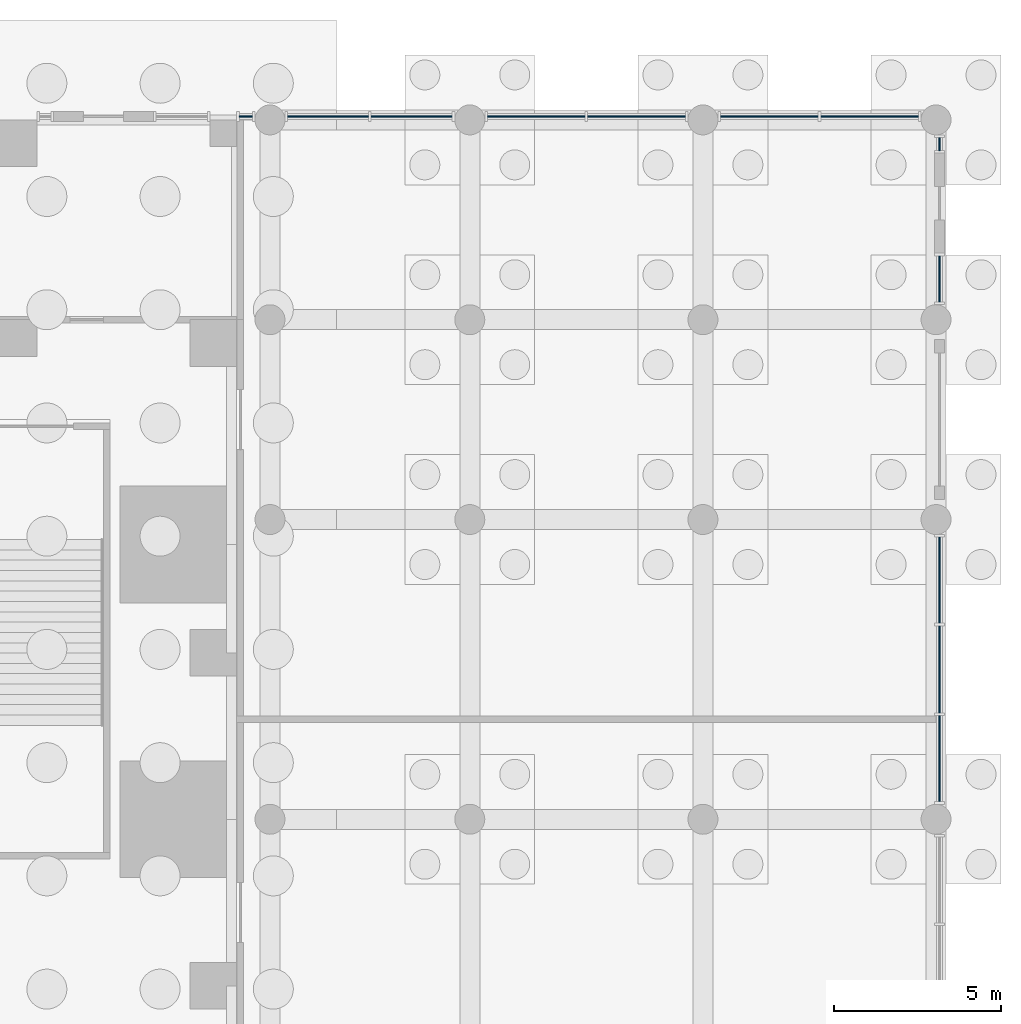
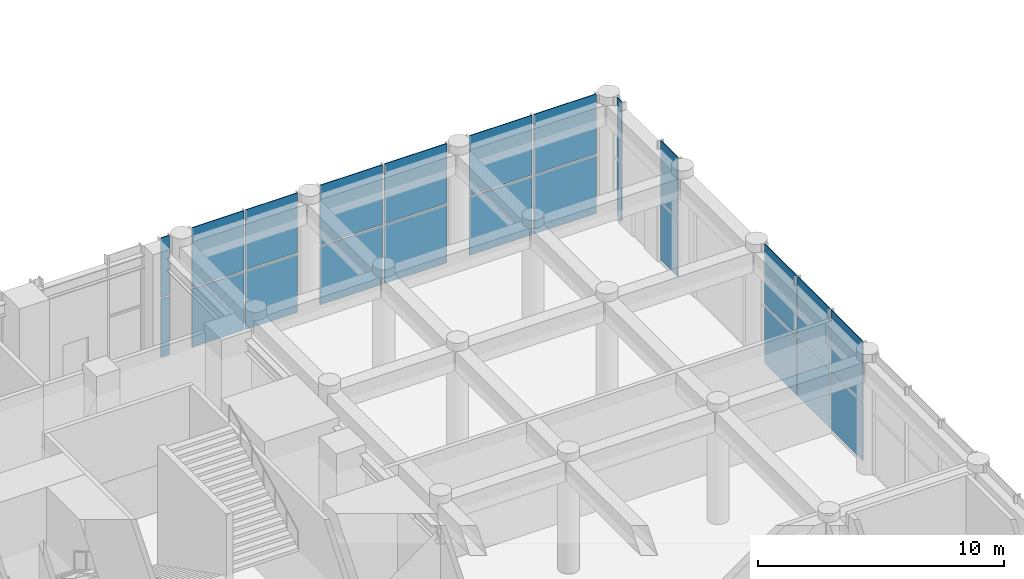
# One storey, part 21 of 46: 24 plates, 7 elements without a shape of their own.
"""IFC4 building model written with IfcOpenShell, lengths in metres."""

import ifcopenshell
import ifcopenshell.guid

model = None  # the IFC model being written
_history = None  # IfcOwnerHistory: only IFC2X3 demands one
_inside = {}  # id of a spatial element -> (the spatial element, [elements in it])
_under = {}  # id of a project, library or spatial element -> (it, [spatial elements below it])
_declared = {}  # id of a project -> (the project, [libraries it declares])
_typed = {}  # id of a type object -> (the type object, [elements of that type])
_made_of = {}  # id of a material, layer set ... -> (it, [elements and type objects made of it])


def new_model(schema):
    """Start an empty IFC model of exactly this schema.

    Asked for "IFC4X3", IfcOpenShell would pick the latest addendum, in which some entities
    have other attributes; the version numbers below select the first issue.
    IFC2X3 requires an IfcOwnerHistory on every rooted entity: one is made here for all.
    """
    global model, _history
    if schema == "IFC4X3":
        model = ifcopenshell.file(schema_version=(4, 3, 0, 0))
    else:
        model = ifcopenshell.file(schema=schema)
    _inside.clear()
    _under.clear()
    _declared.clear()
    _typed.clear()
    _made_of.clear()
    _history = None
    if model.schema == "IFC2X3":
        org = make("IfcOrganization", Name="unknown")
        user = make(
            "IfcPersonAndOrganization",
            ThePerson=make("IfcPerson", FamilyName="unknown"),
            TheOrganization=org,
        )
        app = make(
            "IfcApplication",
            ApplicationDeveloper=org,
            Version="unknown",
            ApplicationFullName="unknown",
            ApplicationIdentifier="unknown",
        )
        _history = make(
            "IfcOwnerHistory",
            OwningUser=user,
            OwningApplication=app,
            ChangeAction="ADDED",
            CreationDate=0,
        )
    return model


def make(cls, **values):
    """One entity of the class cls with the attributes given. An attribute that is None is left unset."""
    return model.create_entity(
        cls, **{name: value for name, value in values.items() if value is not None}
    )


def rooted(cls, **values):
    """An entity with a GlobalId (a new one), such as an element, a storey or a relation."""
    return make(cls, GlobalId=ifcopenshell.guid.new(), OwnerHistory=_history, **values)


def si_unit(unit_type, name, prefix=None):
    """IfcSIUnit, for example si_unit("LENGTHUNIT", "METRE", prefix="MILLI")."""
    return make("IfcSIUnit", UnitType=unit_type, Prefix=prefix, Name=name)


def assignment(units):
    """IfcUnitAssignment: the units of a project."""
    return None if units is None else make("IfcUnitAssignment", Units=units)


def point(xyz):
    """IfcCartesianPoint."""
    return None if xyz is None else make("IfcCartesianPoint", Coordinates=xyz)


def direction(xyz):
    """IfcDirection."""
    return None if xyz is None else make("IfcDirection", DirectionRatios=xyz)


def frame(location, z_axis=None, x_axis=None):
    """IfcAxis2Placement3D, a coordinate frame: its origin and axes. An axis left out is left unset."""
    return make(
        "IfcAxis2Placement3D",
        Location=point(location),
        Axis=direction(z_axis),
        RefDirection=direction(x_axis),
    )


def frame_2d(location, x_axis=None):
    """IfcAxis2Placement2D, a coordinate frame in the plane: its origin and x axis."""
    return make(
        "IfcAxis2Placement2D", Location=point(location), RefDirection=direction(x_axis)
    )


def origin():
    """The frame at (0, 0, 0) with its axes left unset."""
    return frame((0.0, 0.0, 0.0))


def origin_2d():
    """The frame at (0, 0) in the plane with its x axis left unset."""
    return frame_2d((0.0, 0.0))


def place(relative_to, where):
    """IfcLocalPlacement: puts the frame where relative to a parent placement (None: the world)."""
    return make(
        "IfcLocalPlacement", PlacementRelTo=relative_to, RelativePlacement=where
    )


def context(
    kind, dimensions, precision=None, world=None, true_north=None, identifier=None
):
    """IfcGeometricRepresentationContext, for example the 3D "Model" context."""
    return make(
        "IfcGeometricRepresentationContext",
        ContextIdentifier=identifier,
        ContextType=kind,
        CoordinateSpaceDimension=dimensions,
        Precision=precision,
        WorldCoordinateSystem=world,
        TrueNorth=true_north,
    )


def subcontext(parent, identifier, kind, view, scale=None):
    """IfcGeometricRepresentationSubContext, for example "Body" below "Model"."""
    return make(
        "IfcGeometricRepresentationSubContext",
        ContextIdentifier=identifier,
        ContextType=kind,
        ParentContext=parent,
        TargetScale=scale,
        TargetView=view,
    )


def project(units=None, contexts=None):
    """IfcProject with its units and contexts."""
    return rooted(
        "IfcProject",
        Name="project",
        RepresentationContexts=contexts,
        UnitsInContext=assignment(units),
    )


def spatial(cls, under=None, at=None, **own):
    """A site, building, storey or space (cls), placed at a placement, below another one or the project."""
    s = rooted(cls, ObjectPlacement=at, **own)
    if under is not None:
        _under.setdefault(under.id(), (under, []))[1].append(s)
    return s


def profile(cls, at=None, kind="AREA", **sizes):
    """A parametric profile (cls). Its sizes go by their IFC names, for example OverallWidth=200.0."""
    return make(cls, ProfileType=kind, Position=at, **sizes)


def rectangle(**sizes):
    """IfcRectangleProfileDef."""
    return profile("IfcRectangleProfileDef", **sizes)


def extrude(swept, where, along, depth):
    """IfcExtrudedAreaSolid: the profile swept, set in the frame where, extruded along a direction by depth."""
    return make(
        "IfcExtrudedAreaSolid",
        SweptArea=swept,
        Position=where,
        ExtrudedDirection=direction(along),
        Depth=depth,
    )


def shape(context_of_items, identifier, shape_type, items):
    """IfcShapeRepresentation: the items that make up one representation, for example the "Body"."""
    return make(
        "IfcShapeRepresentation",
        ContextOfItems=context_of_items,
        RepresentationIdentifier=identifier,
        RepresentationType=shape_type,
        Items=items,
    )


def material(Name=None, Category=None):
    """IfcMaterial."""
    return make("IfcMaterial", Name=Name, Category=Category)


def layer(
    of_material, thickness, ventilated=None, Name=None, Category=None, Priority=None
):
    """IfcMaterialLayer: one layer of a wall or slab, of a material (None: an air gap)."""
    return make(
        "IfcMaterialLayer",
        Material=of_material,
        LayerThickness=thickness,
        IsVentilated=ventilated,
        Name=Name,
        Category=Category,
        Priority=Priority,
    )


def layer_set(layers, Name=None):
    """IfcMaterialLayerSet."""
    return make("IfcMaterialLayerSet", MaterialLayers=layers, LayerSetName=Name)


def made_of(thing, what):
    """Note that an element or type object is made of a material, layer set ...; save() writes the relation."""
    if what is not None:
        _made_of.setdefault(what.id(), (what, []))[1].append(thing)
    return thing


def type_object(cls, material=None, **own):
    """A type object (cls), such as IfcWallType, which elements share."""
    return made_of(rooted(cls, **own), material)


def element(
    cls,
    number,
    at=None,
    inside=None,
    cuts=None,
    type_object=None,
    material=None,
    context=None,
    identifier="Body",
    shape_type=None,
    held_by="IfcProductDefinitionShape",
    body=None,
    shapes=None,
    **own,
):
    """One element of the class cls, such as IfcWall. Its Tag is "e" and its number.

    at: its placement. inside: the storey or other place that contains it. cuts: it is an
    opening in that element (IfcRelVoidsElement). A single representation is given by context,
    identifier, shape_type and body (its items); several are given by shapes. held_by: the class
    of the entity that holds the representations. save() writes the other relations.
    """
    e = rooted(cls, Tag="e%d" % number, ObjectPlacement=at, **own)
    if body is not None:
        shapes = [shape(context, identifier, shape_type, body)]
    if shapes is not None:
        e.Representation = make(held_by, Representations=shapes)
    if inside is not None:
        _inside.setdefault(inside.id(), (inside, []))[1].append(e)
    if cuts is not None:
        rooted(
            "IfcRelVoidsElement", RelatingBuildingElement=cuts, RelatedOpeningElement=e
        )
    if type_object is not None:
        _typed.setdefault(type_object.id(), (type_object, []))[1].append(e)
    return made_of(e, material)


def aggregate(whole, parts):
    """IfcRelAggregates: a whole, such as a stair, and the parts it consists of."""
    return rooted("IfcRelAggregates", RelatingObject=whole, RelatedObjects=parts)


def save(model, path):
    """Write the relations noted so far, then the file.

    IfcRelAggregates (storeys below a building ...), IfcRelContainedInSpatialStructure (elements
    in a storey), IfcRelDefinesByType, IfcRelAssociatesMaterial and IfcRelDeclares: one each for
    every whole, place, type object, material and project.
    """
    for whole, parts in _under.values():
        aggregate(whole, parts)
    for where, things in _inside.values():
        rooted(
            "IfcRelContainedInSpatialStructure",
            RelatedElements=things,
            RelatingStructure=where,
        )
    for kind, things in _typed.values():
        rooted("IfcRelDefinesByType", RelatedObjects=things, RelatingType=kind)
    for what, things in _made_of.values():
        rooted("IfcRelAssociatesMaterial", RelatedObjects=things, RelatingMaterial=what)
    for by, libraries in _declared.values():
        rooted("IfcRelDeclares", RelatingContext=by, RelatedDefinitions=libraries)
    model.write(path)


model = new_model("IFC4")

# Units and contexts
model_context = context("Model", 3, precision=1e-05, world=origin(), true_north=direction((0.0, 1.0)))
body_context = subcontext(model_context, "Body", "Model", "MODEL_VIEW")
ifc_project = project(units=[si_unit("LENGTHUNIT", "METRE"), si_unit("AREAUNIT", "SQUARE_METRE"), si_unit("VOLUMEUNIT", "CUBIC_METRE"), si_unit("PLANEANGLEUNIT", "RADIAN"), si_unit("MASSUNIT", "GRAM", prefix="KILO")], contexts=[model_context])

# Site, building, storey
site_placement = place(None, origin())
site = spatial("IfcSite", under=ifc_project, at=site_placement, CompositionType="ELEMENT")
building_placement = place(site_placement, origin())
building = spatial("IfcBuilding", under=site, at=building_placement, Name="Svetlomir Tower", CompositionType="ELEMENT")
storey_placement = place(building_placement, origin())
storey = spatial("IfcBuildingStorey", under=building, at=storey_placement, Name="L00", CompositionType="ELEMENT", Elevation=0.0)

# Curtain wall, plates
ifc_material_1 = material(Name="Bronze anodised aluminium curtain wall", Category="aluminium")
curtain_wall_type = type_object("IfcCurtainWallType", Name="CURTAIN WALL CW5 PODIUM", PredefinedType="NOTDEFINED", material=ifc_material_1)
curtain_wall_1_placement = place(storey_placement, origin())
curtain_wall_1 = element("IfcCurtainWall", 1, at=curtain_wall_1_placement, inside=storey, type_object=curtain_wall_type, Name="Curtain wall CW5 L00", PredefinedType="NOTDEFINED")
ifc_material_2 = material(Name="Tinted double glazed unit", Category="glass")
ifc_layer = layer(ifc_material_2, 0.0400390625)
ifc_layer_set = layer_set([ifc_layer], Name="Tinted double glazed unit")
plate_type = type_object("IfcPlateType", Name="CW5 GLAZED PANEL 40", PredefinedType="CURTAIN_PANEL", material=ifc_layer_set)
plate_1_placement = place(storey_placement, frame((63.10009765625, 22.820068359375, 0.080078125), z_axis=(0.0, 0.0, 1.0), x_axis=(0.0, 1.0, 0.0)))
plate_1 = element("IfcPlate", 2, at=plate_1_placement, type_object=plate_type, Name="CW5 panel 1.1", PredefinedType="CURTAIN_PANEL", context=body_context, shape_type="SweptSolid", body=[
    extrude(rectangle(XDim=2.580078125, YDim=0.0400390625, at=origin_2d()), origin(), (0.0, 0.0, 1.0), 2.8798828125),
])
plate_2_placement = place(storey_placement, frame((63.10009765625, 22.820068359375, 3.0400390625), z_axis=(0.0, 0.0, 1.0), x_axis=(0.0, 1.0, 0.0)))
plate_2 = element("IfcPlate", 3, at=plate_2_placement, type_object=plate_type, Name="CW5 panel 1.2", PredefinedType="CURTAIN_PANEL", context=body_context, shape_type="SweptSolid", body=[
    extrude(rectangle(XDim=2.580078125, YDim=0.0400390625, at=origin_2d()), origin(), (0.0, 0.0, 1.0), 2.9599609375),
])
plate_3_placement = place(storey_placement, frame((63.10009765625, 25.5, 0.080078125), z_axis=(0.0, 0.0, 1.0), x_axis=(0.0, 1.0, 0.0)))
plate_3 = element("IfcPlate", 4, at=plate_3_placement, type_object=plate_type, Name="CW5 panel 2.1", PredefinedType="CURTAIN_PANEL", context=body_context, shape_type="SweptSolid", body=[
    extrude(rectangle(XDim=2.6201171875, YDim=0.0400390625, at=origin_2d()), origin(), (0.0, 0.0, 1.0), 2.8798828125),
])
plate_4_placement = place(storey_placement, frame((63.10009765625, 25.5, 3.0400390625), z_axis=(0.0, 0.0, 1.0), x_axis=(0.0, 1.0, 0.0)))
plate_4 = element("IfcPlate", 5, at=plate_4_placement, type_object=plate_type, Name="CW5 panel 2.2", PredefinedType="CURTAIN_PANEL", context=body_context, shape_type="SweptSolid", body=[
    extrude(rectangle(XDim=2.6201171875, YDim=0.0400390625, at=origin_2d()), origin(), (0.0, 0.0, 1.0), 2.9599609375),
])
plate_5_placement = place(storey_placement, frame((63.10009765625, 28.179931640625, 0.080078125), z_axis=(0.0, 0.0, 1.0), x_axis=(0.0, 1.0, 0.0)))
plate_5 = element("IfcPlate", 6, at=plate_5_placement, type_object=plate_type, Name="CW5 panel 3.1", PredefinedType="CURTAIN_PANEL", context=body_context, shape_type="SweptSolid", body=[
    extrude(rectangle(XDim=2.580078125, YDim=0.0400390625, at=origin_2d()), origin(), (0.0, 0.0, 1.0), 2.8798828125),
])
plate_6_placement = place(storey_placement, frame((63.10009765625, 28.179931640625, 3.0400390625), z_axis=(0.0, 0.0, 1.0), x_axis=(0.0, 1.0, 0.0)))
plate_6 = element("IfcPlate", 7, at=plate_6_placement, type_object=plate_type, Name="CW5 panel 3.2", PredefinedType="CURTAIN_PANEL", context=body_context, shape_type="SweptSolid", body=[
    extrude(rectangle(XDim=2.580078125, YDim=0.0400390625, at=origin_2d()), origin(), (0.0, 0.0, 1.0), 2.9599609375),
])
aggregate(curtain_wall_1, [plate_1, plate_2, plate_3, plate_4, plate_5, plate_6])

curtain_wall_2_placement = place(storey_placement, origin())
curtain_wall_2 = element("IfcCurtainWall", 8, at=curtain_wall_2_placement, inside=storey, type_object=curtain_wall_type, Name="Curtain wall CW5 L00", PredefinedType="NOTDEFINED")
plate_7_placement = place(storey_placement, frame((63.10009765625, 37.22509765625, 0.080078125), z_axis=(0.0, 0.0, 1.0), x_axis=(0.0, 1.0, 0.0)))
plate_7 = element("IfcPlate", 9, at=plate_7_placement, type_object=plate_type, Name="CW5 panel 1.1", PredefinedType="CURTAIN_PANEL", context=body_context, shape_type="SweptSolid", body=[
    extrude(rectangle(XDim=1.389892578125, YDim=0.0400390625, at=origin_2d()), origin(), (0.0, 0.0, 1.0), 2.8798828125),
])
plate_8_placement = place(storey_placement, frame((63.10009765625, 37.22509765625, 3.0400390625), z_axis=(0.0, 0.0, 1.0), x_axis=(0.0, 1.0, 0.0)))
plate_8 = element("IfcPlate", 10, at=plate_8_placement, type_object=plate_type, Name="CW5 panel 1.2", PredefinedType="CURTAIN_PANEL", context=body_context, shape_type="SweptSolid", body=[
    extrude(rectangle(XDim=1.389892578125, YDim=0.0400390625, at=origin_2d()), origin(), (0.0, 0.0, 1.0), 2.9599609375),
])
aggregate(curtain_wall_2, [plate_7, plate_8])

curtain_wall_3_placement = place(storey_placement, origin())
curtain_wall_3 = element("IfcCurtainWall", 11, at=curtain_wall_3_placement, inside=storey, type_object=curtain_wall_type, Name="Curtain wall CW5 L00", PredefinedType="NOTDEFINED")
plate_9_placement = place(storey_placement, frame((63.10009765625, 41.27490234375, 0.080078125), z_axis=(0.0, 0.0, 1.0), x_axis=(0.0, 1.0, 0.0)))
plate_9 = element("IfcPlate", 12, at=plate_9_placement, type_object=plate_type, Name="CW5 panel 1.1", PredefinedType="CURTAIN_PANEL", context=body_context, shape_type="SweptSolid", body=[
    extrude(rectangle(XDim=0.389892578125, YDim=0.0400390625, at=origin_2d()), origin(), (0.0, 0.0, 1.0), 2.8798828125),
])
plate_10_placement = place(storey_placement, frame((63.10009765625, 41.27490234375, 3.0400390625), z_axis=(0.0, 0.0, 1.0), x_axis=(0.0, 1.0, 0.0)))
plate_10 = element("IfcPlate", 13, at=plate_10_placement, type_object=plate_type, Name="CW5 panel 1.2", PredefinedType="CURTAIN_PANEL", context=body_context, shape_type="SweptSolid", body=[
    extrude(rectangle(XDim=0.389892578125, YDim=0.0400390625, at=origin_2d()), origin(), (0.0, 0.0, 1.0), 2.9599609375),
])
aggregate(curtain_wall_3, [plate_9, plate_10])

curtain_wall_4_placement = place(storey_placement, origin())
curtain_wall_4 = element("IfcCurtainWall", 14, at=curtain_wall_4_placement, inside=storey, type_object=curtain_wall_type, Name="Curtain wall CW5 L00", PredefinedType="NOTDEFINED")
plate_11_placement = place(storey_placement, frame((61.0048828125, 42.10009765625, 0.080078125), z_axis=(0.0, 0.0, 1.0), x_axis=(-1.0, 0.0, 0.0)))
plate_11 = element("IfcPlate", 15, at=plate_11_placement, type_object=plate_type, Name="CW5 panel 1.1", PredefinedType="CURTAIN_PANEL", context=body_context, shape_type="SweptSolid", body=[
    extrude(rectangle(XDim=2.929931640625, YDim=0.0400390625, at=origin_2d()), origin(), (0.0, 0.0, 1.0), 2.8798828125),
])
plate_12_placement = place(storey_placement, frame((61.0048828125, 42.10009765625, 3.0400390625), z_axis=(0.0, 0.0, 1.0), x_axis=(-1.0, 0.0, 0.0)))
plate_12 = element("IfcPlate", 16, at=plate_12_placement, type_object=plate_type, Name="CW5 panel 1.2", PredefinedType="CURTAIN_PANEL", context=body_context, shape_type="SweptSolid", body=[
    extrude(rectangle(XDim=2.929931640625, YDim=0.0400390625, at=origin_2d()), origin(), (0.0, 0.0, 1.0), 2.9599609375),
])
plate_13_placement = place(storey_placement, frame((57.9951171875, 42.10009765625, 0.080078125), z_axis=(0.0, 0.0, 1.0), x_axis=(-1.0, 0.0, 0.0)))
plate_13 = element("IfcPlate", 17, at=plate_13_placement, type_object=plate_type, Name="CW5 panel 2.1", PredefinedType="CURTAIN_PANEL", context=body_context, shape_type="SweptSolid", body=[
    extrude(rectangle(XDim=2.929931640625, YDim=0.0400390625, at=origin_2d()), origin(), (0.0, 0.0, 1.0), 2.8798828125),
])
plate_14_placement = place(storey_placement, frame((57.9951171875, 42.10009765625, 3.0400390625), z_axis=(0.0, 0.0, 1.0), x_axis=(-1.0, 0.0, 0.0)))
plate_14 = element("IfcPlate", 18, at=plate_14_placement, type_object=plate_type, Name="CW5 panel 2.2", PredefinedType="CURTAIN_PANEL", context=body_context, shape_type="SweptSolid", body=[
    extrude(rectangle(XDim=2.929931640625, YDim=0.0400390625, at=origin_2d()), origin(), (0.0, 0.0, 1.0), 2.9599609375),
])
aggregate(curtain_wall_4, [plate_11, plate_12, plate_13, plate_14])

curtain_wall_5_placement = place(storey_placement, origin())
curtain_wall_5 = element("IfcCurtainWall", 19, at=curtain_wall_5_placement, inside=storey, type_object=curtain_wall_type, Name="Curtain wall CW5 L00", PredefinedType="NOTDEFINED")
plate_15_placement = place(storey_placement, frame((54.0048828125, 42.10009765625, 0.080078125), z_axis=(0.0, 0.0, 1.0), x_axis=(-1.0, 0.0, 0.0)))
plate_15 = element("IfcPlate", 20, at=plate_15_placement, type_object=plate_type, Name="CW5 panel 1.1", PredefinedType="CURTAIN_PANEL", context=body_context, shape_type="SweptSolid", body=[
    extrude(rectangle(XDim=2.929931640625, YDim=0.0400390625, at=origin_2d()), origin(), (0.0, 0.0, 1.0), 2.8798828125),
])
plate_16_placement = place(storey_placement, frame((54.0048828125, 42.10009765625, 3.0400390625), z_axis=(0.0, 0.0, 1.0), x_axis=(-1.0, 0.0, 0.0)))
plate_16 = element("IfcPlate", 21, at=plate_16_placement, type_object=plate_type, Name="CW5 panel 1.2", PredefinedType="CURTAIN_PANEL", context=body_context, shape_type="SweptSolid", body=[
    extrude(rectangle(XDim=2.929931640625, YDim=0.0400390625, at=origin_2d()), origin(), (0.0, 0.0, 1.0), 2.9599609375),
])
plate_17_placement = place(storey_placement, frame((50.9951171875, 42.10009765625, 0.080078125), z_axis=(0.0, 0.0, 1.0), x_axis=(-1.0, 0.0, 0.0)))
plate_17 = element("IfcPlate", 22, at=plate_17_placement, type_object=plate_type, Name="CW5 panel 2.1", PredefinedType="CURTAIN_PANEL", context=body_context, shape_type="SweptSolid", body=[
    extrude(rectangle(XDim=2.929931640625, YDim=0.0400390625, at=origin_2d()), origin(), (0.0, 0.0, 1.0), 2.8798828125),
])
plate_18_placement = place(storey_placement, frame((50.9951171875, 42.10009765625, 3.0400390625), z_axis=(0.0, 0.0, 1.0), x_axis=(-1.0, 0.0, 0.0)))
plate_18 = element("IfcPlate", 23, at=plate_18_placement, type_object=plate_type, Name="CW5 panel 2.2", PredefinedType="CURTAIN_PANEL", context=body_context, shape_type="SweptSolid", body=[
    extrude(rectangle(XDim=2.929931640625, YDim=0.0400390625, at=origin_2d()), origin(), (0.0, 0.0, 1.0), 2.9599609375),
])
aggregate(curtain_wall_5, [plate_15, plate_16, plate_17, plate_18])

curtain_wall_6_placement = place(storey_placement, origin())
curtain_wall_6 = element("IfcCurtainWall", 24, at=curtain_wall_6_placement, inside=storey, type_object=curtain_wall_type, Name="Curtain wall CW5 L00", PredefinedType="NOTDEFINED")
plate_19_placement = place(storey_placement, frame((47.2548828125, 42.10009765625, 0.080078125), z_axis=(0.0, 0.0, 1.0), x_axis=(-1.0, 0.0, 0.0)))
plate_19 = element("IfcPlate", 25, at=plate_19_placement, type_object=plate_type, Name="CW5 panel 1.1", PredefinedType="CURTAIN_PANEL", context=body_context, shape_type="SweptSolid", body=[
    extrude(rectangle(XDim=2.429931640625, YDim=0.0400390625, at=origin_2d()), origin(), (0.0, 0.0, 1.0), 2.8798828125),
])
plate_20_placement = place(storey_placement, frame((47.2548828125, 42.10009765625, 3.0400390625), z_axis=(0.0, 0.0, 1.0), x_axis=(-1.0, 0.0, 0.0)))
plate_20 = element("IfcPlate", 26, at=plate_20_placement, type_object=plate_type, Name="CW5 panel 1.2", PredefinedType="CURTAIN_PANEL", context=body_context, shape_type="SweptSolid", body=[
    extrude(rectangle(XDim=2.429931640625, YDim=0.0400390625, at=origin_2d()), origin(), (0.0, 0.0, 1.0), 2.9599609375),
])
plate_21_placement = place(storey_placement, frame((44.7451171875, 42.10009765625, 0.080078125), z_axis=(0.0, 0.0, 1.0), x_axis=(-1.0, 0.0, 0.0)))
plate_21 = element("IfcPlate", 27, at=plate_21_placement, type_object=plate_type, Name="CW5 panel 2.1", PredefinedType="CURTAIN_PANEL", context=body_context, shape_type="SweptSolid", body=[
    extrude(rectangle(XDim=2.429931640625, YDim=0.0400390625, at=origin_2d()), origin(), (0.0, 0.0, 1.0), 2.8798828125),
])
plate_22_placement = place(storey_placement, frame((44.7451171875, 42.10009765625, 3.0400390625), z_axis=(0.0, 0.0, 1.0), x_axis=(-1.0, 0.0, 0.0)))
plate_22 = element("IfcPlate", 28, at=plate_22_placement, type_object=plate_type, Name="CW5 panel 2.2", PredefinedType="CURTAIN_PANEL", context=body_context, shape_type="SweptSolid", body=[
    extrude(rectangle(XDim=2.429931640625, YDim=0.0400390625, at=origin_2d()), origin(), (0.0, 0.0, 1.0), 2.9599609375),
])
aggregate(curtain_wall_6, [plate_19, plate_20, plate_21, plate_22])

curtain_wall_7_placement = place(storey_placement, origin())
curtain_wall_7 = element("IfcCurtainWall", 29, at=curtain_wall_7_placement, inside=storey, type_object=curtain_wall_type, Name="Curtain wall CW5 L00", PredefinedType="NOTDEFINED")
plate_23_placement = place(storey_placement, frame((42.27490234375, 42.10009765625, 0.080078125), z_axis=(0.0, 0.0, 1.0), x_axis=(-1.0, 0.0, 0.0)))
plate_23 = element("IfcPlate", 30, at=plate_23_placement, type_object=plate_type, Name="CW5 panel 1.1", PredefinedType="CURTAIN_PANEL", context=body_context, shape_type="SweptSolid", body=[
    extrude(rectangle(XDim=0.389892578125, YDim=0.0400390625, at=origin_2d()), origin(), (0.0, 0.0, 1.0), 2.8798828125),
])
plate_24_placement = place(storey_placement, frame((42.27490234375, 42.10009765625, 3.0400390625), z_axis=(0.0, 0.0, 1.0), x_axis=(-1.0, 0.0, 0.0)))
plate_24 = element("IfcPlate", 31, at=plate_24_placement, type_object=plate_type, Name="CW5 panel 1.2", PredefinedType="CURTAIN_PANEL", context=body_context, shape_type="SweptSolid", body=[
    extrude(rectangle(XDim=0.389892578125, YDim=0.0400390625, at=origin_2d()), origin(), (0.0, 0.0, 1.0), 2.9599609375),
])
aggregate(curtain_wall_7, [plate_23, plate_24])

save(model, "model.ifc")
